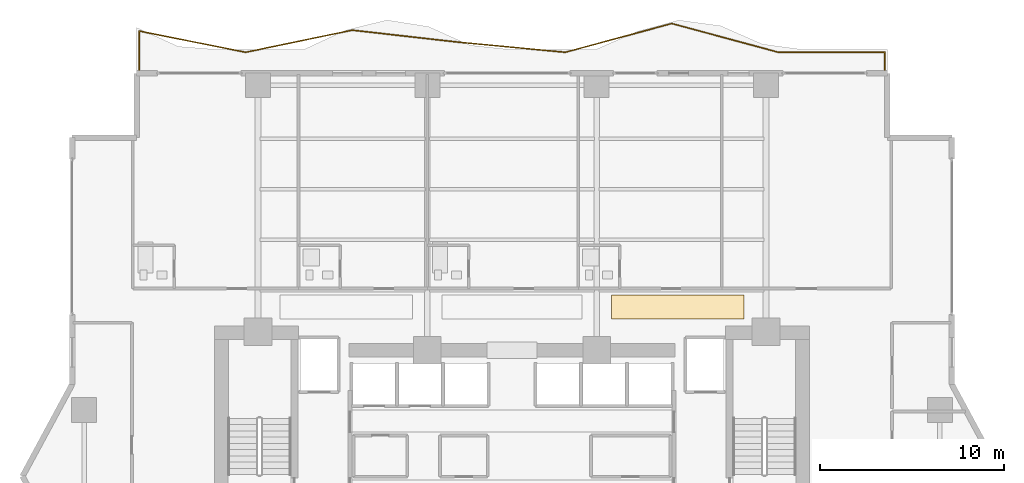
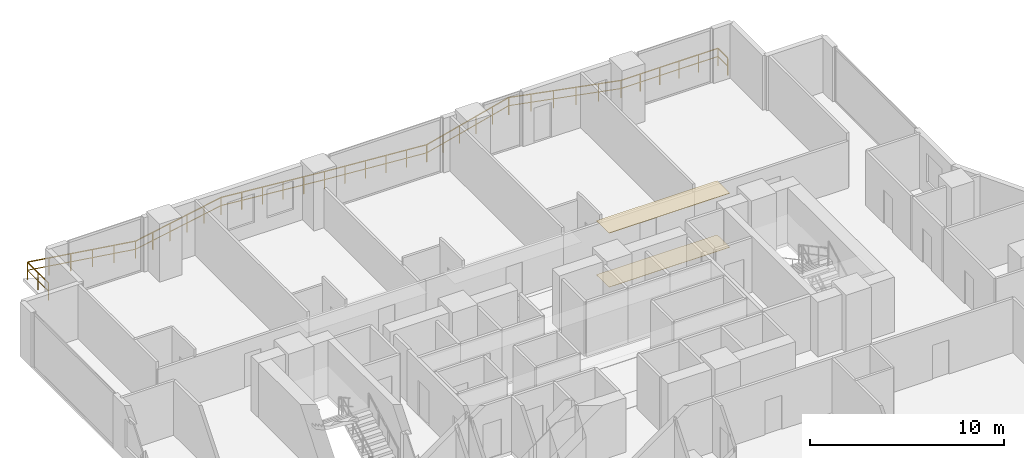
# One storey, part 26 of 27: 2 coverings, 1 railing.
"""IFC4 building model written with IfcOpenShell, lengths in metres."""

import ifcopenshell
import ifcopenshell.guid

model = None  # the IFC model being written
_history = None  # IfcOwnerHistory: only IFC2X3 demands one
_inside = {}  # id of a spatial element -> (the spatial element, [elements in it])
_under = {}  # id of a project, library or spatial element -> (it, [spatial elements below it])
_declared = {}  # id of a project -> (the project, [libraries it declares])
_typed = {}  # id of a type object -> (the type object, [elements of that type])
_made_of = {}  # id of a material, layer set ... -> (it, [elements and type objects made of it])


def new_model(schema):
    """Start an empty IFC model of exactly this schema.

    Asked for "IFC4X3", IfcOpenShell would pick the latest addendum, in which some entities
    have other attributes; the version numbers below select the first issue.
    IFC2X3 requires an IfcOwnerHistory on every rooted entity: one is made here for all.
    """
    global model, _history
    if schema == "IFC4X3":
        model = ifcopenshell.file(schema_version=(4, 3, 0, 0))
    else:
        model = ifcopenshell.file(schema=schema)
    _inside.clear()
    _under.clear()
    _declared.clear()
    _typed.clear()
    _made_of.clear()
    _history = None
    if model.schema == "IFC2X3":
        org = make("IfcOrganization", Name="unknown")
        user = make(
            "IfcPersonAndOrganization",
            ThePerson=make("IfcPerson", FamilyName="unknown"),
            TheOrganization=org,
        )
        app = make(
            "IfcApplication",
            ApplicationDeveloper=org,
            Version="unknown",
            ApplicationFullName="unknown",
            ApplicationIdentifier="unknown",
        )
        _history = make(
            "IfcOwnerHistory",
            OwningUser=user,
            OwningApplication=app,
            ChangeAction="ADDED",
            CreationDate=0,
        )
    return model


def make(cls, **values):
    """One entity of the class cls with the attributes given. An attribute that is None is left unset."""
    return model.create_entity(
        cls, **{name: value for name, value in values.items() if value is not None}
    )


def rooted(cls, **values):
    """An entity with a GlobalId (a new one), such as an element, a storey or a relation."""
    return make(cls, GlobalId=ifcopenshell.guid.new(), OwnerHistory=_history, **values)


def si_unit(unit_type, name, prefix=None):
    """IfcSIUnit, for example si_unit("LENGTHUNIT", "METRE", prefix="MILLI")."""
    return make("IfcSIUnit", UnitType=unit_type, Prefix=prefix, Name=name)


def assignment(units):
    """IfcUnitAssignment: the units of a project."""
    return None if units is None else make("IfcUnitAssignment", Units=units)


def point(xyz):
    """IfcCartesianPoint."""
    return None if xyz is None else make("IfcCartesianPoint", Coordinates=xyz)


def direction(xyz):
    """IfcDirection."""
    return None if xyz is None else make("IfcDirection", DirectionRatios=xyz)


def frame(location, z_axis=None, x_axis=None):
    """IfcAxis2Placement3D, a coordinate frame: its origin and axes. An axis left out is left unset."""
    return make(
        "IfcAxis2Placement3D",
        Location=point(location),
        Axis=direction(z_axis),
        RefDirection=direction(x_axis),
    )


def frame_2d(location, x_axis=None):
    """IfcAxis2Placement2D, a coordinate frame in the plane: its origin and x axis."""
    return make(
        "IfcAxis2Placement2D", Location=point(location), RefDirection=direction(x_axis)
    )


def origin():
    """The frame at (0, 0, 0) with its axes left unset."""
    return frame((0.0, 0.0, 0.0))


def origin_2d():
    """The frame at (0, 0) in the plane with its x axis left unset."""
    return frame_2d((0.0, 0.0))


def place(relative_to, where):
    """IfcLocalPlacement: puts the frame where relative to a parent placement (None: the world)."""
    return make(
        "IfcLocalPlacement", PlacementRelTo=relative_to, RelativePlacement=where
    )


def context(
    kind, dimensions, precision=None, world=None, true_north=None, identifier=None
):
    """IfcGeometricRepresentationContext, for example the 3D "Model" context."""
    return make(
        "IfcGeometricRepresentationContext",
        ContextIdentifier=identifier,
        ContextType=kind,
        CoordinateSpaceDimension=dimensions,
        Precision=precision,
        WorldCoordinateSystem=world,
        TrueNorth=true_north,
    )


def subcontext(parent, identifier, kind, view, scale=None):
    """IfcGeometricRepresentationSubContext, for example "Body" below "Model"."""
    return make(
        "IfcGeometricRepresentationSubContext",
        ContextIdentifier=identifier,
        ContextType=kind,
        ParentContext=parent,
        TargetScale=scale,
        TargetView=view,
    )


def project(units=None, contexts=None):
    """IfcProject with its units and contexts."""
    return rooted(
        "IfcProject",
        Name="project",
        RepresentationContexts=contexts,
        UnitsInContext=assignment(units),
    )


def spatial(cls, under=None, at=None, **own):
    """A site, building, storey or space (cls), placed at a placement, below another one or the project."""
    s = rooted(cls, ObjectPlacement=at, **own)
    if under is not None:
        _under.setdefault(under.id(), (under, []))[1].append(s)
    return s


def polyline(points):
    """IfcPolyline through the points."""
    return make("IfcPolyline", Points=[point(p) for p in points])


def profile(cls, at=None, kind="AREA", **sizes):
    """A parametric profile (cls). Its sizes go by their IFC names, for example OverallWidth=200.0."""
    return make(cls, ProfileType=kind, Position=at, **sizes)


def rectangle(**sizes):
    """IfcRectangleProfileDef."""
    return profile("IfcRectangleProfileDef", **sizes)


def outline(outer, holes=None, kind="AREA"):
    """IfcArbitraryClosedProfileDef: a profile drawn as a closed curve; with holes, ...WithVoids."""
    if holes is None:
        return make("IfcArbitraryClosedProfileDef", ProfileType=kind, OuterCurve=outer)
    return make(
        "IfcArbitraryProfileDefWithVoids",
        ProfileType=kind,
        OuterCurve=outer,
        InnerCurves=holes,
    )


def extrude(swept, where, along, depth):
    """IfcExtrudedAreaSolid: the profile swept, set in the frame where, extruded along a direction by depth."""
    return make(
        "IfcExtrudedAreaSolid",
        SweptArea=swept,
        Position=where,
        ExtrudedDirection=direction(along),
        Depth=depth,
    )


def shape(context_of_items, identifier, shape_type, items):
    """IfcShapeRepresentation: the items that make up one representation, for example the "Body"."""
    return make(
        "IfcShapeRepresentation",
        ContextOfItems=context_of_items,
        RepresentationIdentifier=identifier,
        RepresentationType=shape_type,
        Items=items,
    )


def material(Name=None, Category=None):
    """IfcMaterial."""
    return make("IfcMaterial", Name=Name, Category=Category)


def layer(
    of_material, thickness, ventilated=None, Name=None, Category=None, Priority=None
):
    """IfcMaterialLayer: one layer of a wall or slab, of a material (None: an air gap)."""
    return make(
        "IfcMaterialLayer",
        Material=of_material,
        LayerThickness=thickness,
        IsVentilated=ventilated,
        Name=Name,
        Category=Category,
        Priority=Priority,
    )


def layer_set(layers, Name=None):
    """IfcMaterialLayerSet."""
    return make("IfcMaterialLayerSet", MaterialLayers=layers, LayerSetName=Name)


def made_of(thing, what):
    """Note that an element or type object is made of a material, layer set ...; save() writes the relation."""
    if what is not None:
        _made_of.setdefault(what.id(), (what, []))[1].append(thing)
    return thing


def type_object(cls, material=None, **own):
    """A type object (cls), such as IfcWallType, which elements share."""
    return made_of(rooted(cls, **own), material)


def element(
    cls,
    number,
    at=None,
    inside=None,
    cuts=None,
    type_object=None,
    material=None,
    context=None,
    identifier="Body",
    shape_type=None,
    held_by="IfcProductDefinitionShape",
    body=None,
    shapes=None,
    **own,
):
    """One element of the class cls, such as IfcWall. Its Tag is "e" and its number.

    at: its placement. inside: the storey or other place that contains it. cuts: it is an
    opening in that element (IfcRelVoidsElement). A single representation is given by context,
    identifier, shape_type and body (its items); several are given by shapes. held_by: the class
    of the entity that holds the representations. save() writes the other relations.
    """
    e = rooted(cls, Tag="e%d" % number, ObjectPlacement=at, **own)
    if body is not None:
        shapes = [shape(context, identifier, shape_type, body)]
    if shapes is not None:
        e.Representation = make(held_by, Representations=shapes)
    if inside is not None:
        _inside.setdefault(inside.id(), (inside, []))[1].append(e)
    if cuts is not None:
        rooted(
            "IfcRelVoidsElement", RelatingBuildingElement=cuts, RelatedOpeningElement=e
        )
    if type_object is not None:
        _typed.setdefault(type_object.id(), (type_object, []))[1].append(e)
    return made_of(e, material)


def aggregate(whole, parts):
    """IfcRelAggregates: a whole, such as a stair, and the parts it consists of."""
    return rooted("IfcRelAggregates", RelatingObject=whole, RelatedObjects=parts)


def save(model, path):
    """Write the relations noted so far, then the file.

    IfcRelAggregates (storeys below a building ...), IfcRelContainedInSpatialStructure (elements
    in a storey), IfcRelDefinesByType, IfcRelAssociatesMaterial and IfcRelDeclares: one each for
    every whole, place, type object, material and project.
    """
    for whole, parts in _under.values():
        aggregate(whole, parts)
    for where, things in _inside.values():
        rooted(
            "IfcRelContainedInSpatialStructure",
            RelatedElements=things,
            RelatingStructure=where,
        )
    for kind, things in _typed.values():
        rooted("IfcRelDefinesByType", RelatedObjects=things, RelatingType=kind)
    for what, things in _made_of.values():
        rooted("IfcRelAssociatesMaterial", RelatedObjects=things, RelatingMaterial=what)
    for by, libraries in _declared.values():
        rooted("IfcRelDeclares", RelatingContext=by, RelatedDefinitions=libraries)
    model.write(path)


model = new_model("IFC4")

# Units and contexts
model_context = context("Model", 3, precision=1e-05, world=origin(), true_north=direction((0.0, 1.0)))
body_context = subcontext(model_context, "Body", "Model", "MODEL_VIEW")
ifc_project = project(units=[si_unit("LENGTHUNIT", "METRE"), si_unit("AREAUNIT", "SQUARE_METRE"), si_unit("VOLUMEUNIT", "CUBIC_METRE"), si_unit("PLANEANGLEUNIT", "RADIAN"), si_unit("MASSUNIT", "GRAM", prefix="KILO")], contexts=[model_context])

# Site, building, storey
site_placement = place(None, origin())
site = spatial("IfcSite", under=ifc_project, at=site_placement, CompositionType="ELEMENT")
building_placement = place(site_placement, origin())
building = spatial("IfcBuilding", under=site, at=building_placement, Name="Zuhayl Quay Hotel", CompositionType="ELEMENT")
storey_placement = place(building_placement, frame((0.0, 0.0, 117.550048828125)))
storey = spatial("IfcBuildingStorey", under=building, at=storey_placement, Name="L29", CompositionType="ELEMENT", Elevation=117.550048828125)

# Coverings
ifc_material_1 = material(Name="Acoustic Mineral-Fibre Gypsum Board")
ifc_layer_1 = layer(ifc_material_1, 0.02490234375, Name="Acoustic Mineral-Fibre Gypsum Board")
ifc_layer_set_1 = layer_set([ifc_layer_1], Name="Acoustic Mineral-Fibre Gypsum Board")
covering_type_1 = type_object("IfcCoveringType", Name="CV_CEIL_ACOUSTIC", PredefinedType="CEILING", material=ifc_layer_set_1)
covering_1_placement = place(storey_placement, frame((0.0, 0.0, 3.405029296875)))
element("IfcCovering", 1, at=covering_1_placement, inside=storey, type_object=covering_type_1, Name="L29 Guest Corridor Acoustic Ceiling CE", PredefinedType="CEILING", context=body_context, shape_type="SweptSolid", body=[
    extrude(outline(polyline([(5.39990234375, 15.050048828125), (12.60009765625, 15.050048828125), (12.60009765625, 16.35009765625), (5.39990234375, 16.35009765625), (5.39990234375, 15.050048828125)])), origin(), (0.0, 0.0, 1.0), 0.02490234375),
])
ifc_material_2 = material(Name="Polished Limestone Terrazzo", Category="masonry")
ifc_layer_2 = layer(ifc_material_2, 0.02001953125, Name="Polished Limestone Terrazzo", Category="masonry")
ifc_layer_set_2 = layer_set([ifc_layer_2], Name="Polished Limestone Terrazzo")
covering_type_2 = type_object("IfcCoveringType", Name="CV_FLOOR_TERRAZZO", PredefinedType="FLOORING", material=ifc_layer_set_2)
covering_2_placement = place(storey_placement, origin())
element("IfcCovering", 2, at=covering_2_placement, inside=storey, type_object=covering_type_2, Name="L29 Guest Corridor Terrazzo Runner CE", PredefinedType="FLOORING", context=body_context, shape_type="SweptSolid", body=[
    extrude(outline(polyline([(5.39990234375, 15.050048828125), (12.60009765625, 15.050048828125), (12.60009765625, 16.35009765625), (5.39990234375, 16.35009765625), (5.39990234375, 15.050048828125)])), origin(), (0.0, 0.0, 1.0), 0.02001953125),
])

# Railing
ifc_material_3 = material(Name="Anodised Aluminium and Laminated Glass", Category="aluminium")
railing_type = type_object("IfcRailingType", Name="RL_EXT_BAL_1100", PredefinedType="BALUSTRADE", material=ifc_material_3)
railing_placement = place(storey_placement, frame((-20.260009765625, 28.52001953125, 0.0)))
element("IfcRailing", 3, at=railing_placement, inside=storey, type_object=railing_type, Name="L29 Balcony and Terrace Guard GR_L29_BAL_N", PredefinedType="BALUSTRADE", context=body_context, shape_type="SweptSolid", body=[
    extrude(rectangle(XDim=0.048095703125, YDim=0.048095703125, at=origin_2d()), frame((0.0, 0.0, 1.09619140625), z_axis=(0.0, 1.0, 0.0), x_axis=(-1.0, 0.0, 0.0)), (0.0, 0.0, 1.0), 2.174072265625),
    extrude(rectangle(XDim=0.0361328125, YDim=0.0361328125, at=origin_2d()), frame((0.0, 0.0, 0.58251953125), z_axis=(0.0, 1.0, 0.0), x_axis=(-1.0, 0.0, 0.0)), (0.0, 0.0, 1.0), 2.174072265625),
    extrude(rectangle(XDim=0.048095703125, YDim=0.048095703125, at=origin_2d()), frame((0.0, 2.174072265625, 1.09619140625), z_axis=(0.980699808506, -0.195519527406, 0.0), x_axis=(0.195519527406, 0.980699808506, 0.0)), (0.0, 0.0, 1.0), 5.902587890625),
    extrude(rectangle(XDim=0.0361328125, YDim=0.0361328125, at=origin_2d()), frame((0.0, 2.174072265625, 0.58251953125), z_axis=(0.980699808506, -0.195519527406, 0.0), x_axis=(0.195519527406, 0.980699808506, 0.0)), (0.0, 0.0, 1.0), 5.902587890625),
    extrude(rectangle(XDim=0.048095703125, YDim=0.048095703125, at=origin_2d()), frame((5.78857421875, 1.02001953125, 1.09619140625), z_axis=(0.97916622884, 0.203060326748, 0.0), x_axis=(-0.203060326748, 0.97916622884, 0.0)), (0.0, 0.0, 1.0), 5.91162109375),
    extrude(rectangle(XDim=0.0361328125, YDim=0.0361328125, at=origin_2d()), frame((5.78857421875, 1.02001953125, 0.58251953125), z_axis=(0.97916622884, 0.203060326748, 0.0), x_axis=(-0.203060326748, 0.97916622884, 0.0)), (0.0, 0.0, 1.0), 5.91162109375),
    extrude(rectangle(XDim=0.048095703125, YDim=0.048095703125, at=origin_2d()), frame((11.5771484375, 2.220458984375, 1.09619140625), z_axis=(0.993681749637, -0.112234488635, 0.0), x_axis=(0.112234488635, 0.993681749637, 0.0)), (0.0, 0.0, 1.0), 5.825439453125),
    extrude(rectangle(XDim=0.0361328125, YDim=0.0361328125, at=origin_2d()), frame((11.5771484375, 2.220458984375, 0.58251953125), z_axis=(0.993681749637, -0.112234488635, 0.0), x_axis=(0.112234488635, 0.993681749637, 0.0)), (0.0, 0.0, 1.0), 5.825439453125),
    extrude(rectangle(XDim=0.048095703125, YDim=0.048095703125, at=origin_2d()), frame((17.36572265625, 1.566650390625, 1.09619140625), z_axis=(0.995570830919, -0.094014470284, 0.0), x_axis=(0.094014470284, 0.995570830919, 0.0)), (0.0, 0.0, 1.0), 5.814208984375),
    extrude(rectangle(XDim=0.0361328125, YDim=0.0361328125, at=origin_2d()), frame((17.36572265625, 1.566650390625, 0.58251953125), z_axis=(0.995570830919, -0.094014470284, 0.0), x_axis=(0.094014470284, 0.995570830919, 0.0)), (0.0, 0.0, 1.0), 5.814208984375),
    extrude(rectangle(XDim=0.048095703125, YDim=0.048095703125, at=origin_2d()), frame((23.154296875, 1.02001953125, 1.09619140625), z_axis=(0.965497708312, 0.260411549753, 0.0), x_axis=(-0.260411549753, 0.965497708312, 0.0)), (0.0, 0.0, 1.0), 5.995361328125),
    extrude(rectangle(XDim=0.0361328125, YDim=0.0361328125, at=origin_2d()), frame((23.154296875, 1.02001953125, 0.58251953125), z_axis=(0.965497708312, 0.260411549753, 0.0), x_axis=(-0.260411549753, 0.965497708312, 0.0)), (0.0, 0.0, 1.0), 5.995361328125),
    extrude(rectangle(XDim=0.048095703125, YDim=0.048095703125, at=origin_2d()), frame((28.94287109375, 2.581298828125, 1.09619140625), z_axis=(0.965497708312, -0.260411549753, 0.0), x_axis=(0.260411549753, 0.965497708312, 0.0)), (0.0, 0.0, 1.0), 5.995361328125),
    extrude(rectangle(XDim=0.0361328125, YDim=0.0361328125, at=origin_2d()), frame((28.94287109375, 2.581298828125, 0.58251953125), z_axis=(0.965497708312, -0.260411549753, 0.0), x_axis=(0.260411549753, 0.965497708312, 0.0)), (0.0, 0.0, 1.0), 5.995361328125),
    extrude(rectangle(XDim=0.048095703125, YDim=0.048095703125, at=origin_2d()), frame((34.7314453125, 1.02001953125, 1.09619140625), z_axis=(1.0, 0.0, 0.0), x_axis=(0.0, 1.0, 0.0)), (0.0, 0.0, 1.0), 5.78857421875),
    extrude(rectangle(XDim=0.0361328125, YDim=0.0361328125, at=origin_2d()), frame((34.7314453125, 1.02001953125, 0.58251953125), z_axis=(1.0, 0.0, 0.0), x_axis=(0.0, 1.0, 0.0)), (0.0, 0.0, 1.0), 5.78857421875),
    extrude(rectangle(XDim=0.048095703125, YDim=0.048095703125, at=origin_2d()), frame((40.52001953125, 1.02001953125, 1.09619140625), z_axis=(0.0, -1.0, 0.0), x_axis=(1.0, 0.0, 0.0)), (0.0, 0.0, 1.0), 1.02001953125),
    extrude(rectangle(XDim=0.0361328125, YDim=0.0361328125, at=origin_2d()), frame((40.52001953125, 1.02001953125, 0.58251953125), z_axis=(0.0, -1.0, 0.0), x_axis=(1.0, 0.0, 0.0)), (0.0, 0.0, 1.0), 1.02001953125),
    extrude(rectangle(XDim=0.0419921875, YDim=0.0419921875, at=origin_2d()), origin(), (0.0, 0.0, 1.0), 1.072021484375),
    extrude(rectangle(XDim=0.0419921875, YDim=0.0419921875, at=origin_2d()), frame((0.0, 1.0869140625, 0.0)), (0.0, 0.0, 1.0), 1.072021484375),
    extrude(rectangle(XDim=0.0419921875, YDim=0.0419921875, at=origin_2d()), frame((0.0, 2.174072265625, 0.0)), (0.0, 0.0, 1.0), 1.072021484375),
    extrude(rectangle(XDim=0.0419921875, YDim=0.0419921875, at=origin_2d()), frame((1.15771484375, 1.943359375, 0.0)), (0.0, 0.0, 1.0), 1.072021484375),
    extrude(rectangle(XDim=0.0419921875, YDim=0.0419921875, at=origin_2d()), frame((2.3154296875, 1.71240234375, 0.0)), (0.0, 0.0, 1.0), 1.072021484375),
    extrude(rectangle(XDim=0.0419921875, YDim=0.0419921875, at=origin_2d()), frame((3.47314453125, 1.481689453125, 0.0)), (0.0, 0.0, 1.0), 1.072021484375),
    extrude(rectangle(XDim=0.0419921875, YDim=0.0419921875, at=origin_2d()), frame((4.630859375, 1.250732421875, 0.0)), (0.0, 0.0, 1.0), 1.072021484375),
    extrude(rectangle(XDim=0.0419921875, YDim=0.0419921875, at=origin_2d()), frame((5.78857421875, 1.02001953125, 0.0)), (0.0, 0.0, 1.0), 1.072021484375),
    extrude(rectangle(XDim=0.0419921875, YDim=0.0419921875, at=origin_2d()), frame((6.9462890625, 1.260009765625, 0.0)), (0.0, 0.0, 1.0), 1.072021484375),
    extrude(rectangle(XDim=0.0419921875, YDim=0.0419921875, at=origin_2d()), frame((8.10400390625, 1.500244140625, 0.0)), (0.0, 0.0, 1.0), 1.072021484375),
    extrude(rectangle(XDim=0.0419921875, YDim=0.0419921875, at=origin_2d()), frame((9.26171875, 1.740234375, 0.0)), (0.0, 0.0, 1.0), 1.072021484375),
    extrude(rectangle(XDim=0.0419921875, YDim=0.0419921875, at=origin_2d()), frame((10.41943359375, 1.98046875, 0.0)), (0.0, 0.0, 1.0), 1.072021484375),
    extrude(rectangle(XDim=0.0419921875, YDim=0.0419921875, at=origin_2d()), frame((11.5771484375, 2.220458984375, 0.0)), (0.0, 0.0, 1.0), 1.072021484375),
    extrude(rectangle(XDim=0.0419921875, YDim=0.0419921875, at=origin_2d()), frame((12.73486328125, 2.089599609375, 0.0)), (0.0, 0.0, 1.0), 1.072021484375),
    extrude(rectangle(XDim=0.0419921875, YDim=0.0419921875, at=origin_2d()), frame((13.892578125, 1.958984375, 0.0)), (0.0, 0.0, 1.0), 1.072021484375),
    extrude(rectangle(XDim=0.0419921875, YDim=0.0419921875, at=origin_2d()), frame((15.05029296875, 1.828125, 0.0)), (0.0, 0.0, 1.0), 1.072021484375),
    extrude(rectangle(XDim=0.0419921875, YDim=0.0419921875, at=origin_2d()), frame((16.2080078125, 1.697509765625, 0.0)), (0.0, 0.0, 1.0), 1.072021484375),
    extrude(rectangle(XDim=0.0419921875, YDim=0.0419921875, at=origin_2d()), frame((17.36572265625, 1.566650390625, 0.0)), (0.0, 0.0, 1.0), 1.072021484375),
    extrude(rectangle(XDim=0.0419921875, YDim=0.0419921875, at=origin_2d()), frame((18.5234375, 1.457275390625, 0.0)), (0.0, 0.0, 1.0), 1.072021484375),
    extrude(rectangle(XDim=0.0419921875, YDim=0.0419921875, at=origin_2d()), frame((19.68115234375, 1.347900390625, 0.0)), (0.0, 0.0, 1.0), 1.072021484375),
    extrude(rectangle(XDim=0.0419921875, YDim=0.0419921875, at=origin_2d()), frame((20.8388671875, 1.23876953125, 0.0)), (0.0, 0.0, 1.0), 1.072021484375),
    extrude(rectangle(XDim=0.0419921875, YDim=0.0419921875, at=origin_2d()), frame((21.99658203125, 1.12939453125, 0.0)), (0.0, 0.0, 1.0), 1.072021484375),
    extrude(rectangle(XDim=0.0419921875, YDim=0.0419921875, at=origin_2d()), frame((23.154296875, 1.02001953125, 0.0)), (0.0, 0.0, 1.0), 1.072021484375),
    extrude(rectangle(XDim=0.0419921875, YDim=0.0419921875, at=origin_2d()), frame((24.31201171875, 1.332275390625, 0.0)), (0.0, 0.0, 1.0), 1.072021484375),
    extrude(rectangle(XDim=0.0419921875, YDim=0.0419921875, at=origin_2d()), frame((25.4697265625, 1.64453125, 0.0)), (0.0, 0.0, 1.0), 1.072021484375),
    extrude(rectangle(XDim=0.0419921875, YDim=0.0419921875, at=origin_2d()), frame((26.62744140625, 1.956787109375, 0.0)), (0.0, 0.0, 1.0), 1.072021484375),
    extrude(rectangle(XDim=0.0419921875, YDim=0.0419921875, at=origin_2d()), frame((27.78515625, 2.26904296875, 0.0)), (0.0, 0.0, 1.0), 1.072021484375),
    extrude(rectangle(XDim=0.0419921875, YDim=0.0419921875, at=origin_2d()), frame((28.94287109375, 2.581298828125, 0.0)), (0.0, 0.0, 1.0), 1.072021484375),
    extrude(rectangle(XDim=0.0419921875, YDim=0.0419921875, at=origin_2d()), frame((30.1005859375, 2.26904296875, 0.0)), (0.0, 0.0, 1.0), 1.072021484375),
    extrude(rectangle(XDim=0.0419921875, YDim=0.0419921875, at=origin_2d()), frame((31.25830078125, 1.956787109375, 0.0)), (0.0, 0.0, 1.0), 1.072021484375),
    extrude(rectangle(XDim=0.0419921875, YDim=0.0419921875, at=origin_2d()), frame((32.416015625, 1.64453125, 0.0)), (0.0, 0.0, 1.0), 1.072021484375),
    extrude(rectangle(XDim=0.0419921875, YDim=0.0419921875, at=origin_2d()), frame((33.57373046875, 1.332275390625, 0.0)), (0.0, 0.0, 1.0), 1.072021484375),
    extrude(rectangle(XDim=0.0419921875, YDim=0.0419921875, at=origin_2d()), frame((34.7314453125, 1.02001953125, 0.0)), (0.0, 0.0, 1.0), 1.072021484375),
    extrude(rectangle(XDim=0.0419921875, YDim=0.0419921875, at=origin_2d()), frame((35.88916015625, 1.02001953125, 0.0)), (0.0, 0.0, 1.0), 1.072021484375),
    extrude(rectangle(XDim=0.0419921875, YDim=0.0419921875, at=origin_2d()), frame((37.046875, 1.02001953125, 0.0)), (0.0, 0.0, 1.0), 1.072021484375),
    extrude(rectangle(XDim=0.0419921875, YDim=0.0419921875, at=origin_2d()), frame((38.20458984375, 1.02001953125, 0.0)), (0.0, 0.0, 1.0), 1.072021484375),
    extrude(rectangle(XDim=0.0419921875, YDim=0.0419921875, at=origin_2d()), frame((39.3623046875, 1.02001953125, 0.0)), (0.0, 0.0, 1.0), 1.072021484375),
    extrude(rectangle(XDim=0.0419921875, YDim=0.0419921875, at=origin_2d()), frame((40.52001953125, 1.02001953125, 0.0)), (0.0, 0.0, 1.0), 1.072021484375),
    extrude(rectangle(XDim=0.0419921875, YDim=0.0419921875, at=origin_2d()), frame((40.52001953125, 0.0, 0.0)), (0.0, 0.0, 1.0), 1.072021484375),
])

save(model, "model.ifc")
